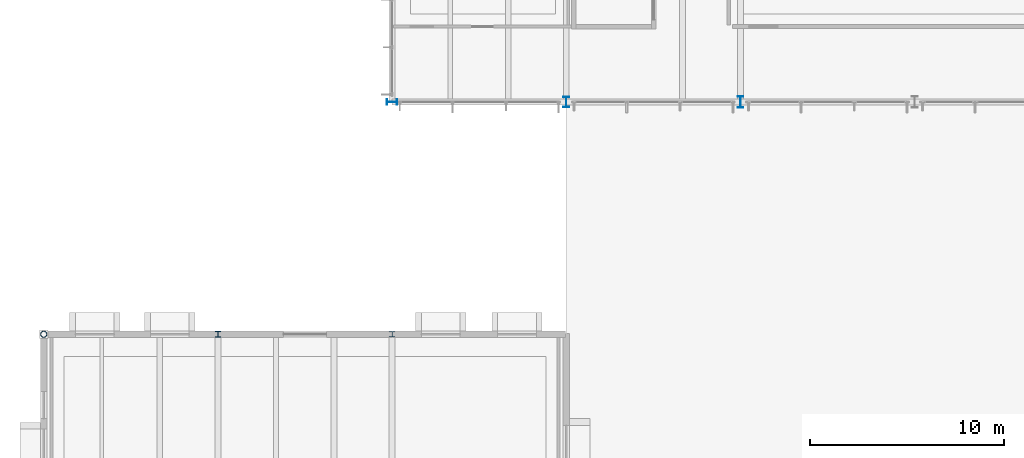
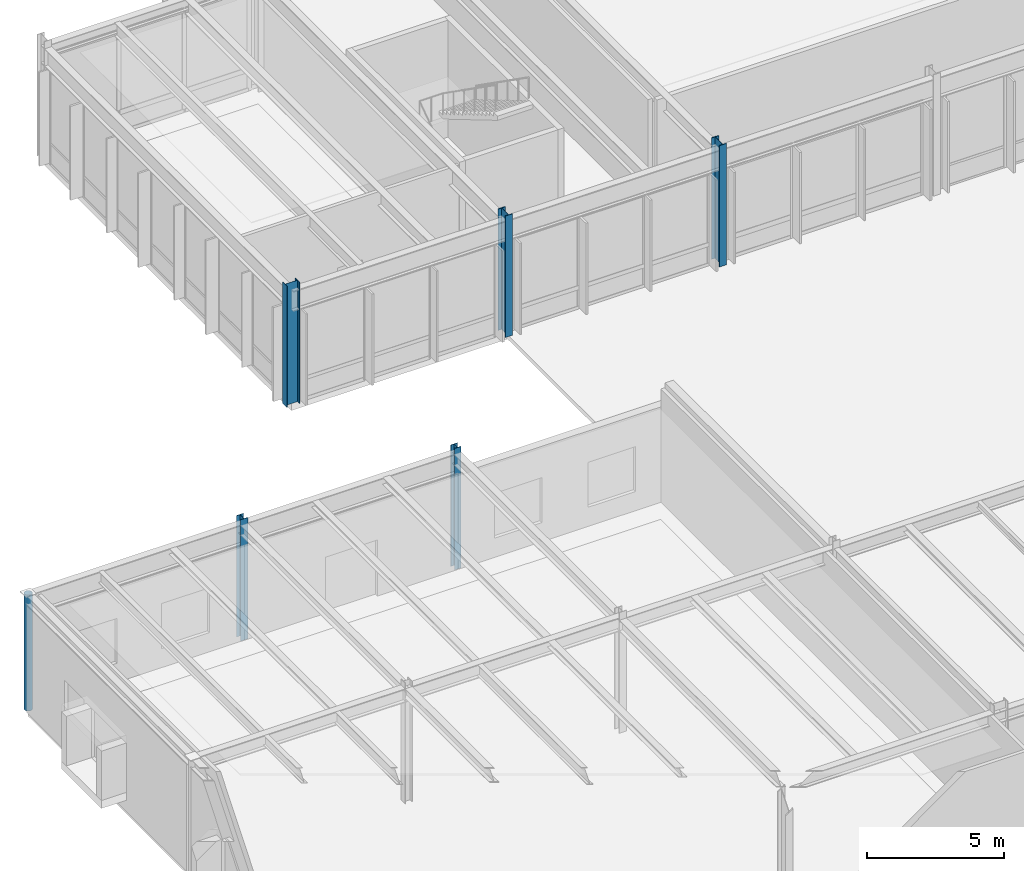
# One storey, part 8 of 143: 6 columns.
"""IFC4 building model written with IfcOpenShell, lengths in metres."""

from ifc_helpers import new_model, si_unit, direction, frame, origin, origin_2d, place, context, subcontext, project, spatial, hollow_circle, i_section, extrude, material, material_profile, profile_set, type_object, element, save


model = new_model("IFC4")

# Units and contexts
model_context = context("Model", 3, precision=1e-05, world=origin(), true_north=direction((0.0, 1.0)))
body_context = subcontext(model_context, "Body", "Model", "MODEL_VIEW")
ifc_project = project(units=[si_unit("LENGTHUNIT", "METRE"), si_unit("AREAUNIT", "SQUARE_METRE"), si_unit("VOLUMEUNIT", "CUBIC_METRE"), si_unit("PLANEANGLEUNIT", "RADIAN"), si_unit("MASSUNIT", "GRAM", prefix="KILO")], contexts=[model_context])

# Site, building, storey
site_placement = place(None, origin())
site = spatial("IfcSite", under=ifc_project, at=site_placement, CompositionType="ELEMENT")
building_placement = place(site_placement, origin())
building = spatial("IfcBuilding", under=site, at=building_placement, Name="Montelvaro Courts of Justice", CompositionType="ELEMENT")
storey_placement = place(building_placement, origin())
storey = spatial("IfcBuildingStorey", under=building, at=storey_placement, Name="L00", CompositionType="ELEMENT", Elevation=0.0)

# Columns
ifc_material = material(Name="Steel S355", Category="steel")
ifc_material_profile_1 = material_profile(ifc_material, hollow_circle(Radius=0.161865234375, WallThickness=0.012451171875, at=origin_2d()), Name="CHS 323.9x12.5")
ifc_profile_set_1 = profile_set([ifc_material_profile_1], Name="Steel S355")
column_type_1 = type_object("IfcColumnType", Name="Col_CHS324", PredefinedType="PILASTER", material=ifc_profile_set_1)
column_1_placement = place(storey_placement, frame((0.0, 66.0, 0.0), z_axis=(0.0, 0.0, 1.0), x_axis=(1.0, 0.0, 0.0)))
element("IfcColumn", 1, at=column_1_placement, inside=storey, type_object=column_type_1, Name="Column C-18 L00 1/F", PredefinedType="PILASTER", context=body_context, shape_type="SweptSolid", body=[
    extrude(hollow_circle(Radius=0.161865234375, WallThickness=0.012451171875, at=origin_2d()), origin(), (0.0, 0.0, 1.0), 5.14990234375),
])
ifc_material_profile_2 = material_profile(ifc_material, i_section(OverallWidth=0.280029296875, OverallDepth=0.280029296875, WebThickness=0.010498046875, FlangeThickness=0.01806640625, at=origin_2d()), Name="HEB 280")
ifc_profile_set_2 = profile_set([ifc_material_profile_2], Name="Steel S355")
column_type_2 = type_object("IfcColumnType", Name="Col_HEB280", PredefinedType="COLUMN", material=ifc_profile_set_2)
column_2_placement = place(storey_placement, frame((18.0, 66.0, 0.0), z_axis=(0.0, 0.0, 1.0), x_axis=(1.0, 0.0, 0.0)))
element("IfcColumn", 2, at=column_2_placement, inside=storey, type_object=column_type_2, Name="Column C-02 L00 3/F", PredefinedType="COLUMN", context=body_context, shape_type="SweptSolid", body=[
    extrude(i_section(OverallWidth=0.280029296875, OverallDepth=0.280029296875, WebThickness=0.010498046875, FlangeThickness=0.01806640625, at=origin_2d()), origin(), (0.0, 0.0, 1.0), 5.39990234375),
])
ifc_material_profile_3 = material_profile(ifc_material, i_section(OverallWidth=0.300048828125, OverallDepth=0.320068359375, WebThickness=0.011474609375, FlangeThickness=0.0205078125, at=origin_2d()), Name="HEB 320")
ifc_profile_set_3 = profile_set([ifc_material_profile_3], Name="Steel S355")
column_type_3 = type_object("IfcColumnType", Name="Col_HEB320", PredefinedType="COLUMN", material=ifc_profile_set_3)
column_3_placement = place(storey_placement, frame((9.0, 66.0, 0.0), z_axis=(0.0, 0.0, 1.0), x_axis=(1.0, 0.0, 0.0)))
element("IfcColumn", 3, at=column_3_placement, inside=storey, type_object=column_type_3, Name="Column C-04 L00 2/F", PredefinedType="COLUMN", context=body_context, shape_type="SweptSolid", body=[
    extrude(i_section(OverallWidth=0.300048828125, OverallDepth=0.320068359375, WebThickness=0.011474609375, FlangeThickness=0.0205078125, at=origin_2d()), origin(), (0.0, 0.0, 1.0), 5.39990234375),
])
ifc_material_profile_4 = material_profile(ifc_material, i_section(OverallWidth=0.300048828125, OverallDepth=0.550048828125, WebThickness=0.014892578125, FlangeThickness=0.029052734375, at=origin_2d()), Name="HEB 550")
ifc_profile_set_4 = profile_set([ifc_material_profile_4], Name="Steel S355")
column_type_4 = type_object("IfcColumnType", Name="Col_HEB550", PredefinedType="COLUMN", material=ifc_profile_set_4)
for number, where, z_axis, x_axis, name in (
    (4, (18.0, 78.0, 0.0), (0.0, 0.0, 1.0), (0.0, 1.0, 0.0), "Column C-10 L00 3/G"),
    (5, (27.0, 78.0, 0.0), (0.0, 0.0, 1.0), (1.0, 0.0, 0.0), "Column C-10 L00 4/G"),
):
    element("IfcColumn", number, at=place(storey_placement, frame(where, z_axis=z_axis, x_axis=x_axis)), inside=storey, type_object=column_type_4, Name=name, PredefinedType="COLUMN", context=body_context, shape_type="SweptSolid", body=[
        extrude(i_section(OverallWidth=0.300048828125, OverallDepth=0.550048828125, WebThickness=0.014892578125, FlangeThickness=0.029052734375, at=origin_2d()), origin(), (0.0, 0.0, 1.0), 5.39990234375),
    ])
ifc_material_profile_5 = material_profile(ifc_material, i_section(OverallWidth=0.300048828125, OverallDepth=0.60009765625, WebThickness=0.015380859375, FlangeThickness=0.030029296875, at=origin_2d()), Name="HEB 600")
ifc_profile_set_5 = profile_set([ifc_material_profile_5], Name="Steel S355")
column_type_5 = type_object("IfcColumnType", Name="Col_HEB600", PredefinedType="COLUMN", material=ifc_profile_set_5)
column_4_placement = place(storey_placement, frame((36.0, 78.0, 0.0), z_axis=(0.0, 0.0, 1.0), x_axis=(1.0, 0.0, 0.0)))
element("IfcColumn", 6, at=column_4_placement, inside=storey, type_object=column_type_5, Name="Column C-11 L00 5/G", PredefinedType="COLUMN", context=body_context, shape_type="SweptSolid", body=[
    extrude(i_section(OverallWidth=0.300048828125, OverallDepth=0.60009765625, WebThickness=0.015380859375, FlangeThickness=0.030029296875, at=origin_2d()), origin(), (0.0, 0.0, 1.0), 5.39990234375),
])

save(model, "model.ifc")
